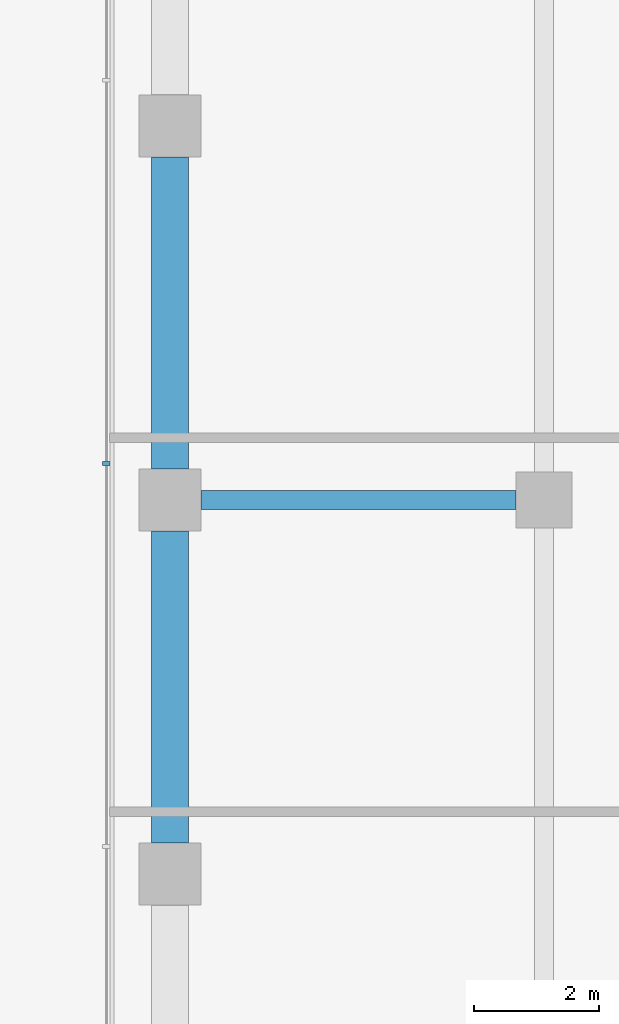
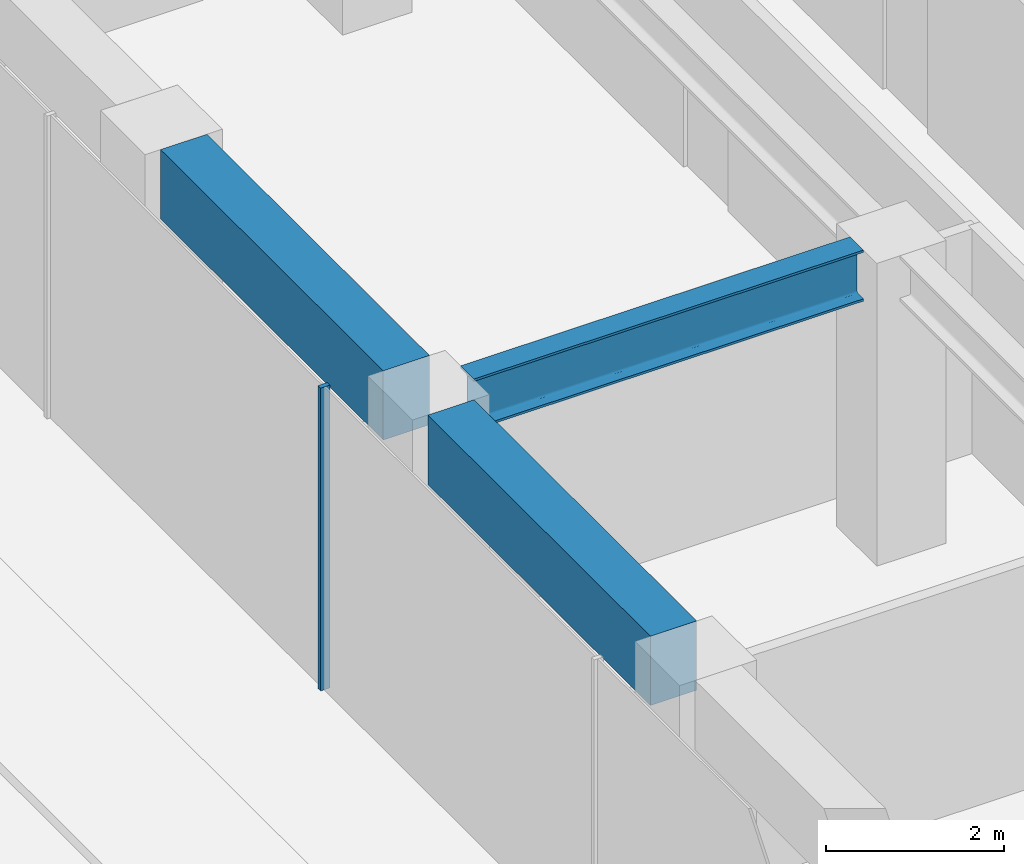
# One storey, part 13 of 31: 3 beams, 1 member, 1 element without a shape of its own.
"""IFC4 building model written with IfcOpenShell, lengths in metres."""

from ifc_helpers import new_model, si_unit, direction, frame, origin, origin_2d, place, context, subcontext, project, spatial, rectangle, i_section, extrude, material, layer, layer_set, material_profile, profile_set, type_object, element, aggregate, save


model = new_model("IFC4")

# Units and contexts
model_context = context("Model", 3, precision=1e-05, world=origin(), true_north=direction((0.0, 1.0)))
body_context = subcontext(model_context, "Body", "Model", "MODEL_VIEW")
ifc_project = project(units=[si_unit("LENGTHUNIT", "METRE"), si_unit("AREAUNIT", "SQUARE_METRE"), si_unit("VOLUMEUNIT", "CUBIC_METRE"), si_unit("PLANEANGLEUNIT", "RADIAN"), si_unit("MASSUNIT", "GRAM", prefix="KILO")], contexts=[model_context])

# Site, building, storey
site_placement = place(None, origin())
site = spatial("IfcSite", under=ifc_project, at=site_placement, CompositionType="ELEMENT")
building_placement = place(site_placement, origin())
building = spatial("IfcBuilding", under=site, at=building_placement, Name="Welwitschia Terrace Campus", CompositionType="ELEMENT")
storey_placement = place(building_placement, frame((0.0, 0.0, 11.0)))
storey = spatial("IfcBuildingStorey", under=building, at=storey_placement, Name="L02", CompositionType="ELEMENT", Elevation=11.0)

# Curtain wall, member
ifc_material_1 = material(Name="Bronze anodised aluminium", Category="aluminium")
ifc_layer = layer(ifc_material_1, 0.1201171875)
ifc_layer_set = layer_set([ifc_layer], Name="Bronze anodised aluminium")
curtain_wall_type = type_object("IfcCurtainWallType", Name="Curtain wall CW2 tower 6000", PredefinedType="NOTDEFINED", material=ifc_layer_set)
curtain_wall_placement = place(storey_placement, origin())
curtain_wall = element("IfcCurtainWall", 1, at=curtain_wall_placement, inside=storey, type_object=curtain_wall_type, Name="CW L02.9.0", PredefinedType="NOTDEFINED")
ifc_material_2 = material(Name="Bronze anodised aluminium", Category="aluminium")
ifc_material_profile_1 = material_profile(ifc_material_2, rectangle(XDim=0.1201171875, YDim=0.06005859375, at=origin_2d()))
ifc_profile_set_1 = profile_set([ifc_material_profile_1], Name="Bronze anodised aluminium")
member_type = type_object("IfcMemberType", Name="Mullion 60x120", PredefinedType="MULLION", material=ifc_profile_set_1)
member_placement = place(storey_placement, frame((-1.02001953125, 44.587158203125, 0.0), z_axis=(0.0, 0.0, 1.0), x_axis=(1.0, 0.0, 0.0)))
member = element("IfcMember", 2, at=member_placement, type_object=member_type, Name="Mullion L02.9.0.3", PredefinedType="MULLION", context=body_context, shape_type="SweptSolid", body=[
    extrude(rectangle(XDim=0.1201171875, YDim=0.06005859375, at=origin_2d()), origin(), (0.0, 0.0, 1.0), 4.14990234375),
])
aggregate(curtain_wall, [member])

# Beams
ifc_material_3 = material(Name="Steel S355", Category="steel")
ifc_material_profile_2 = material_profile(ifc_material_3, i_section(OverallWidth=0.300048828125, OverallDepth=0.699951171875, WebThickness=0.01708984375, FlangeThickness=0.031982421875, FilletRadius=0.027099609375, at=origin_2d()))
ifc_profile_set_2 = profile_set([ifc_material_profile_2], Name="Steel S355")
beam_type_1 = type_object("IfcBeamType", Name="Primary beam HE 700 B", PredefinedType="BEAM", material=ifc_profile_set_2)
beam_placement = place(storey_placement, frame((0.50048828125, 44.0, 3.800048828125), z_axis=(1.0, 0.0, 0.0), x_axis=(0.0, 1.0, 0.0)))
element("IfcBeam", 3, at=beam_placement, inside=storey, type_object=beam_type_1, Name="Primary beam PB1", PredefinedType="BEAM", context=body_context, shape_type="SweptSolid", body=[
    extrude(i_section(OverallWidth=0.300048828125, OverallDepth=0.699951171875, WebThickness=0.01708984375, FlangeThickness=0.031982421875, FilletRadius=0.027099609375, at=origin_2d()), origin(), (0.0, 0.0, 1.0), 5.049072265625),
])
ifc_material_4 = material(Name="Concrete C60/75", Category="concrete")
ifc_material_profile_3 = material_profile(ifc_material_4, rectangle(XDim=0.60009765625, YDim=0.949951171875, at=origin_2d()))
ifc_profile_set_3 = profile_set([ifc_material_profile_3], Name="Concrete C60/75")
beam_type_2 = type_object("IfcBeamType", Name="Ring spandrel 600x950", PredefinedType="SPANDREL", material=ifc_profile_set_3)
for number, where, z_axis, x_axis, name in (
    (4, (0.0, 49.49951171875, 3.675048828125), (0.0, -1.0, 0.0), (1.0, 0.0, 0.0), "Spandrel SP1"),
    (5, (0.0, 43.49951171875, 3.675048828125), (0.0, -1.0, 0.0), (1.0, 0.0, 0.0), "Spandrel SP1"),
):
    element("IfcBeam", number, at=place(storey_placement, frame(where, z_axis=z_axis, x_axis=x_axis)), inside=storey, type_object=beam_type_2, Name=name, PredefinedType="SPANDREL", context=body_context, shape_type="SweptSolid", body=[
        extrude(rectangle(XDim=0.60009765625, YDim=0.949951171875, at=origin_2d()), origin(), (0.0, 0.0, 1.0), 4.9990234375),
    ])

save(model, "model.ifc")
